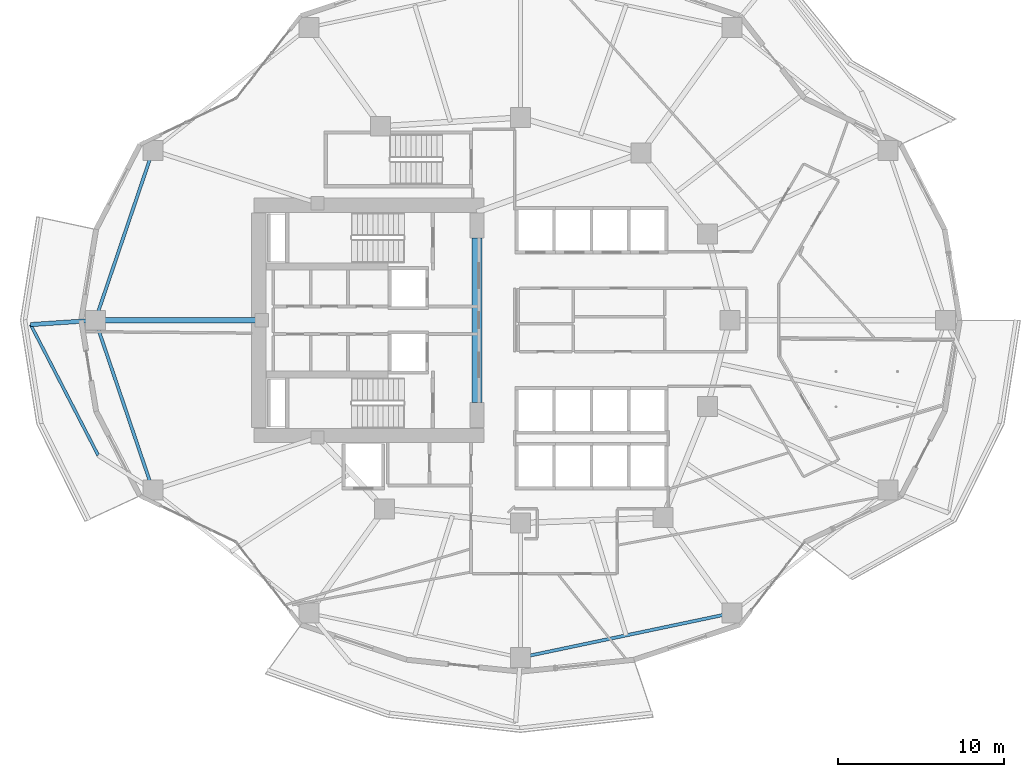
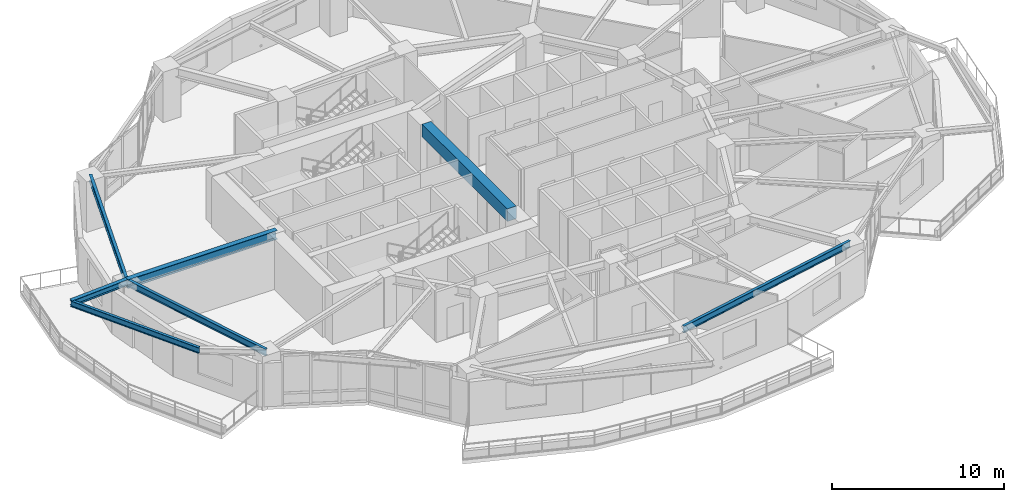
# One storey, part 3 of 18: 7 beams.
"""IFC4 building model written with IfcOpenShell, lengths in metres."""

from ifc_helpers import new_model, si_unit, direction, frame, origin, origin_2d, place, context, subcontext, project, spatial, rectangle, i_section, extrude, material, material_profile, profile_set, type_object, element, save


model = new_model("IFC4")

# Units and contexts
model_context = context("Model", 3, precision=1e-05, world=origin(), true_north=direction((0.0, 1.0)))
body_context = subcontext(model_context, "Body", "Model", "MODEL_VIEW")
ifc_project = project(units=[si_unit("LENGTHUNIT", "METRE"), si_unit("AREAUNIT", "SQUARE_METRE"), si_unit("VOLUMEUNIT", "CUBIC_METRE"), si_unit("PLANEANGLEUNIT", "RADIAN"), si_unit("MASSUNIT", "GRAM", prefix="KILO")], contexts=[model_context])

# Site, building, storey
site_placement = place(None, origin())
site = spatial("IfcSite", under=ifc_project, at=site_placement, CompositionType="ELEMENT")
building_placement = place(site_placement, origin())
building = spatial("IfcBuilding", under=site, at=building_placement, Name="Kolvaren Gate Tower and Convention Centre", CompositionType="ELEMENT")
storey_placement = place(building_placement, frame((0.0, 0.0, 53.449951171875)))
storey = spatial("IfcBuildingStorey", under=building, at=storey_placement, Name="L12", CompositionType="ELEMENT", Elevation=53.449951171875)

# Beams
ifc_material_1 = material(Name="Structural steel ASTM A992 Grade 345 MPa", Category="steel")
ifc_material_profile_1 = material_profile(ifc_material_1, i_section(OverallWidth=0.260009765625, OverallDepth=0.419921875, WebThickness=0.013427734375, FlangeThickness=0.0224609375, at=origin_2d()), Name="W410X132")
ifc_profile_set_1 = profile_set([ifc_material_profile_1], Name="Structural steel ASTM A992 Grade 345 MPa")
beam_type_1 = type_object("IfcBeamType", Name="STR-BM-W410X132", PredefinedType="BEAM", material=ifc_profile_set_1)
beam_1_placement = place(storey_placement, frame((4.53759765625, 27.0, 3.360595703125), z_axis=(-0.997745931522, -0.067104814517, 0.0), x_axis=(0.067104814517, -0.997745931522, 0.0)))
element("IfcBeam", 1, at=beam_1_placement, inside=storey, type_object=beam_type_1, Name="Tower L13 Planted Balcony Outrigger Cantilever BC-2A", PredefinedType="BEAM", context=body_context, shape_type="SweptSolid", body=[
    extrude(i_section(OverallWidth=0.260009765625, OverallDepth=0.419921875, WebThickness=0.013427734375, FlangeThickness=0.0224609375, at=origin_2d()), origin(), (0.0, 0.0, 1.0), 3.900146484375),
])
ifc_material_profile_2 = material_profile(ifc_material_1, i_section(OverallWidth=0.327880859375, OverallDepth=0.6279296875, WebThickness=0.0166015625, FlangeThickness=0.027587890625, at=origin_2d()), Name="W610X217")
ifc_profile_set_2 = profile_set([ifc_material_profile_2], Name="Structural steel ASTM A992 Grade 345 MPa")
beam_type_2 = type_object("IfcBeamType", Name="STR-BM-W610X217", PredefinedType="BEAM", material=ifc_profile_set_2)
beam_2_placement = place(storey_placement, frame((14.550048828125, 27.0, 3.256103515625), z_axis=(-1.0, 0.0, 0.0), x_axis=(0.0, -1.0, 0.0)))
element("IfcBeam", 2, at=beam_2_placement, inside=storey, type_object=beam_type_2, Name="Tower L12 Radial Floor Girder RB-07", PredefinedType="BEAM", context=body_context, shape_type="SweptSolid", body=[
    extrude(i_section(OverallWidth=0.327880859375, OverallDepth=0.6279296875, WebThickness=0.0166015625, FlangeThickness=0.027587890625, at=origin_2d()), origin(), (0.0, 0.0, 1.0), 10.012451171875),
])
ifc_material_2 = material(Name="Concrete C60/75", Category="concrete")
ifc_material_profile_3 = material_profile(ifc_material_2, rectangle(XDim=0.60009765625, YDim=0.89990234375, at=origin_2d()), Name="RC-BM-600X900")
ifc_profile_set_3 = profile_set([ifc_material_profile_3], Name="Concrete C60/75")
beam_type_3 = type_object("IfcBeamType", Name="STR-LN-RC600X900", PredefinedType="LINTEL", material=ifc_profile_set_3)
beam_3_placement = place(storey_placement, frame((27.5, 22.050048828125, 3.1201171875), z_axis=(0.0, 1.0, 0.0), x_axis=(-1.0, 0.0, 0.0)))
element("IfcBeam", 3, at=beam_3_placement, inside=storey, type_object=beam_type_3, Name="Tower L12 Core Ductile Coupling Beam CB-01", PredefinedType="LINTEL", context=body_context, shape_type="SweptSolid", body=[
    extrude(rectangle(XDim=0.60009765625, YDim=0.89990234375, at=origin_2d()), origin(), (0.0, 0.0, 1.0), 9.89990234375),
])
ifc_material_profile_4 = material_profile(ifc_material_1, i_section(OverallWidth=0.180908203125, OverallDepth=0.4169921875, WebThickness=0.010986328125, FlangeThickness=0.018310546875, at=origin_2d()), Name="W410X85")
ifc_profile_set_4 = profile_set([ifc_material_profile_4], Name="Structural steel ASTM A992 Grade 345 MPa")
beam_type_4 = type_object("IfcBeamType", Name="STR-SP-W410X85", PredefinedType="SPANDREL", material=ifc_profile_set_4)
beam_4_placement = place(storey_placement, frame((0.646240234375, 26.73828125, 3.362060546875), z_axis=(0.459287093639, -0.888287884425, 0.0), x_axis=(0.888287884425, 0.459287093639, 0.0)))
element("IfcBeam", 4, at=beam_4_placement, inside=storey, type_object=beam_type_4, Name="Tower L13 Planted Balcony Header Tie Beam BT-2", PredefinedType="SPANDREL", context=body_context, shape_type="SweptSolid", body=[
    extrude(i_section(OverallWidth=0.180908203125, OverallDepth=0.4169921875, WebThickness=0.010986328125, FlangeThickness=0.018310546875, at=origin_2d()), origin(), (0.0, 0.0, 1.0), 8.85107421875),
])
ifc_material_profile_5 = material_profile(ifc_material_1, i_section(OverallWidth=0.194091796875, OverallDepth=0.468994140625, WebThickness=0.0126953125, FlangeThickness=0.0205078125, at=origin_2d()), Name="W460X106")
ifc_profile_set_5 = profile_set([ifc_material_profile_5], Name="Structural steel ASTM A992 Grade 345 MPa")
beam_type_5 = type_object("IfcBeamType", Name="STR-SP-W460X106", PredefinedType="SPANDREL", material=ifc_profile_set_5)
for number, where, z_axis, x_axis, name in (
    (5, (8.001220703125, 37.218505859375, 3.33544921875), (-0.321016233787, -0.947073691771, 0.0), (0.947073691771, -0.321016233787, 0.0), "Tower L12 Perimeter Spandrel Beam SP-06"),
    (6, (4.53759765625, 27.0, 3.33544921875), (0.321016233787, -0.947073691771, 0.0), (0.947073691771, 0.321016233787, 0.0), "Tower L12 Perimeter Spandrel Beam SP-07"),
):
    element("IfcBeam", number, at=place(storey_placement, frame(where, z_axis=z_axis, x_axis=x_axis)), inside=storey, type_object=beam_type_5, Name=name, PredefinedType="SPANDREL", context=body_context, shape_type="SweptSolid", body=[
        extrude(i_section(OverallWidth=0.194091796875, OverallDepth=0.468994140625, WebThickness=0.0126953125, FlangeThickness=0.0205078125, at=origin_2d()), origin(), (0.0, 0.0, 1.0), 10.78955078125),
    ])
beam_5_placement = place(storey_placement, frame((30.125, 6.699951171875, 3.33544921875), z_axis=(0.978632602148, 0.205616706552, 0.0), x_axis=(-0.205616706552, 0.978632602148, 0.0)))
element("IfcBeam", 7, at=beam_5_placement, inside=storey, type_object=beam_type_5, Name="Tower L12 Perimeter Spandrel Beam SP-10", PredefinedType="SPANDREL", context=body_context, shape_type="SweptSolid", body=[
    extrude(i_section(OverallWidth=0.194091796875, OverallDepth=0.468994140625, WebThickness=0.0126953125, FlangeThickness=0.0205078125, at=origin_2d()), origin(), (0.0, 0.0, 1.0), 12.999267578125),
])

save(model, "model.ifc")
